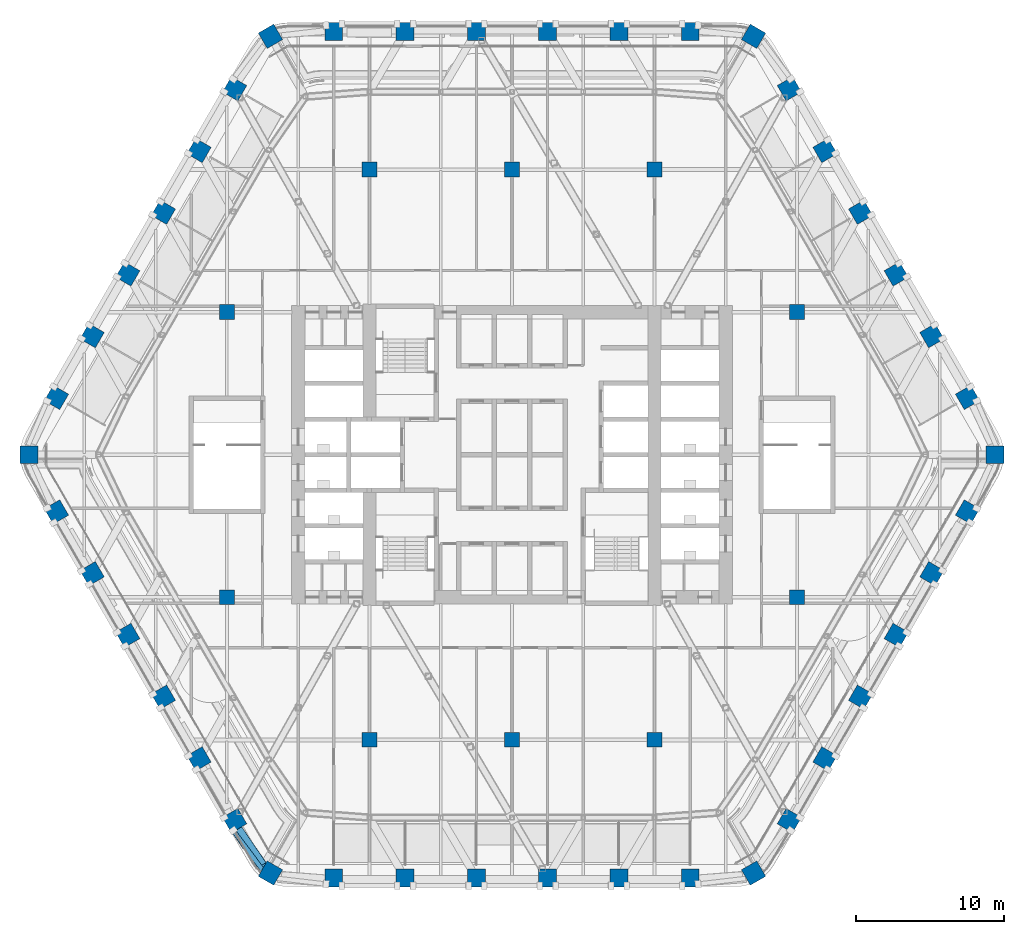
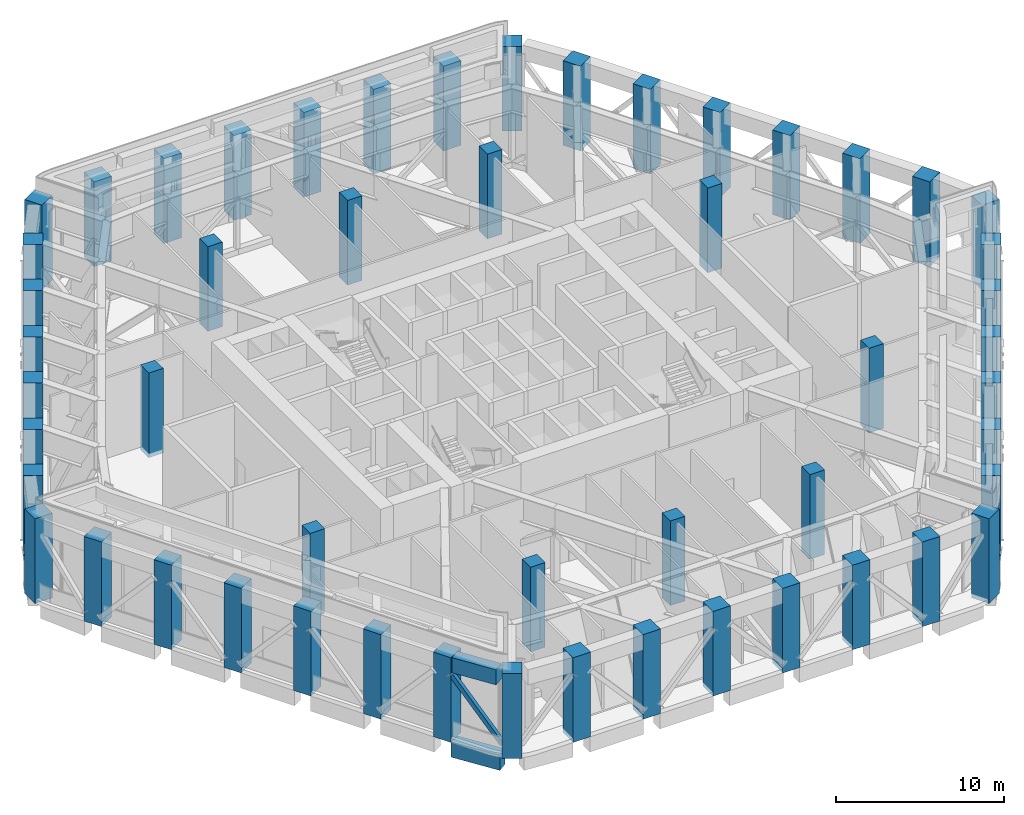
# One storey, part 1 of 27: 52 columns, 2 beams, 1 member.
"""IFC4 building model written with IfcOpenShell, lengths in metres."""

from ifc_helpers import new_model, si_unit, direction, frame, origin, origin_2d, place, context, subcontext, project, spatial, rectangle, hollow_rectangle, extrude, material, material_profile, profile_set, type_object, element, save


model = new_model("IFC4")

# Units and contexts
model_context = context("Model", 3, precision=1e-05, world=origin(), true_north=direction((0.0, 1.0)))
body_context = subcontext(model_context, "Body", "Model", "MODEL_VIEW")
ifc_project = project(units=[si_unit("LENGTHUNIT", "METRE"), si_unit("AREAUNIT", "SQUARE_METRE"), si_unit("VOLUMEUNIT", "CUBIC_METRE"), si_unit("PLANEANGLEUNIT", "RADIAN"), si_unit("MASSUNIT", "GRAM", prefix="KILO")], contexts=[model_context])

# Site, building, storey
site_placement = place(None, origin())
site = spatial("IfcSite", under=ifc_project, at=site_placement, CompositionType="ELEMENT")
building_placement = place(site_placement, origin())
building = spatial("IfcBuilding", under=site, at=building_placement, Name="Kolab Exchange Tower", CompositionType="ELEMENT")
storey_placement = place(building_placement, frame((0.0, 0.0, 127.39990234375)))
storey = spatial("IfcBuildingStorey", under=building, at=storey_placement, Name="L25", CompositionType="ELEMENT", Elevation=127.39990234375)

# Columns
ifc_material_1 = material(Name="Concrete C70/85", Category="concrete")
ifc_material_profile_1 = material_profile(ifc_material_1, rectangle(XDim=1.0, YDim=1.0, at=origin_2d()), Name="RC1000")
ifc_profile_set_1 = profile_set([ifc_material_profile_1], Name="Concrete C70/85")
column_type_1 = type_object("IfcColumnType", Name="INTERIOR COLUMN 1000 SQ C70/85", PredefinedType="COLUMN", material=ifc_profile_set_1)
for number, where, z_axis, x_axis, name in (
    (1, (-19.199951171875, -9.60009765625, -0.2998046875), (0.0, 0.0, 1.0), (1.0, 0.0, 0.0), "col/L25/I-I9"),
    (2, (-19.199951171875, 9.60009765625, -0.2998046875), (0.0, 0.0, 1.0), (1.0, 0.0, 0.0), "col/L25/I-I13"),
    (3, (-9.60009765625, -19.199951171875, -0.2998046875), (0.0, 0.0, 1.0), (1.0, 0.0, 0.0), "col/L25/I-K7"),
    (4, (-9.60009765625, 19.199951171875, -0.2998046875), (0.0, 0.0, 1.0), (1.0, 0.0, 0.0), "col/L25/I-K15"),
    (5, (0.0, -19.199951171875, -0.2998046875), (0.0, 0.0, 1.0), (1.0, 0.0, 0.0), "col/L25/I-M7"),
    (6, (0.0, 19.199951171875, -0.2998046875), (0.0, 0.0, 1.0), (1.0, 0.0, 0.0), "col/L25/I-M15"),
    (7, (9.60009765625, -19.199951171875, -0.2998046875), (0.0, 0.0, 1.0), (1.0, 0.0, 0.0), "col/L25/I-O7"),
    (8, (9.60009765625, 19.199951171875, -0.2998046875), (0.0, 0.0, 1.0), (1.0, 0.0, 0.0), "col/L25/I-O15"),
    (9, (19.199951171875, -9.60009765625, -0.2998046875), (0.0, 0.0, 1.0), (1.0, 0.0, 0.0), "col/L25/I-Q9"),
    (10, (19.199951171875, 9.60009765625, -0.2998046875), (0.0, 0.0, 1.0), (1.0, 0.0, 0.0), "col/L25/I-Q13"),
):
    element("IfcColumn", number, at=place(storey_placement, frame(where, z_axis=z_axis, x_axis=x_axis)), inside=storey, type_object=column_type_1, Name=name, PredefinedType="COLUMN", context=body_context, shape_type="SweptSolid", body=[
        extrude(rectangle(XDim=1.0, YDim=1.0, at=origin_2d()), origin(), (0.0, 0.0, 1.0), 6.14990234375),
    ])
ifc_material_profile_2 = material_profile(ifc_material_1, rectangle(XDim=1.199951171875, YDim=1.199951171875, at=origin_2d()), Name="RC1200")
ifc_profile_set_2 = profile_set([ifc_material_profile_2], Name="Concrete C70/85")
column_type_2 = type_object("IfcColumnType", Name="PERIMETER COLUMN 1200 SQ C70/85", PredefinedType="COLUMN", material=ifc_profile_set_2)
for number, where, z_axis, x_axis, name in (
    (11, (-16.26806640625, 28.177001953125, -0.2998046875), (0.0, 0.0, 1.0), (0.866025403784, 0.5, 0.0), "col/L25/F1-01"),
    (12, (-12.0, 28.49853515625, -0.2998046875), (0.0, 0.0, 1.0), (1.0, 0.0, 0.0), "col/L25/F1-02"),
    (13, (-7.199951171875, 28.49853515625, -0.2998046875), (0.0, 0.0, 1.0), (1.0, 0.0, 0.0), "col/L25/F1-03"),
    (14, (-2.39990234375, 28.49853515625, -0.2998046875), (0.0, 0.0, 1.0), (1.0, 0.0, 0.0), "col/L25/F1-04"),
    (15, (2.39990234375, 28.49853515625, -0.2998046875), (0.0, 0.0, 1.0), (1.0, 0.0, 0.0), "col/L25/F1-05"),
    (16, (7.199951171875, 28.49853515625, -0.2998046875), (0.0, 0.0, 1.0), (1.0, 0.0, 0.0), "col/L25/F1-06"),
    (17, (12.0, 28.49853515625, -0.2998046875), (0.0, 0.0, 1.0), (1.0, 0.0, 0.0), "col/L25/F1-07"),
    (18, (16.26806640625, 28.177001953125, -0.2998046875), (0.0, 0.0, 1.0), (0.5, 0.866025403784, 0.0), "col/L25/F2-01"),
    (19, (18.680419921875, 24.6416015625, -0.2998046875), (0.0, 0.0, 1.0), (0.866025403784, 0.5, 0.0), "col/L25/F2-02"),
    (20, (21.080322265625, 20.484619140625, -0.2998046875), (0.0, 0.0, 1.0), (0.866025403784, 0.5, 0.0), "col/L25/F2-03"),
    (21, (23.48046875, 16.32763671875, -0.2998046875), (0.0, 0.0, 1.0), (0.866025403784, 0.5, 0.0), "col/L25/F2-04"),
    (22, (25.88037109375, 12.170654296875, -0.2998046875), (0.0, 0.0, 1.0), (0.866025403784, 0.5, 0.0), "col/L25/F2-05"),
    (23, (28.2802734375, 8.013916015625, -0.2998046875), (0.0, 0.0, 1.0), (0.866025403784, 0.5, 0.0), "col/L25/F2-06"),
    (24, (30.680419921875, 3.85693359375, -0.2998046875), (0.0, 0.0, 1.0), (0.866025403784, 0.5, 0.0), "col/L25/F2-07"),
    (25, (32.535888671875, 0.0, -0.2998046875), (0.0, 0.0, 1.0), (1.0, 0.0, 0.0), "col/L25/F3-01"),
    (26, (30.680419921875, -3.85693359375, -0.2998046875), (0.0, 0.0, 1.0), (0.5, 0.866025403784, 0.0), "col/L25/F3-02"),
    (27, (28.2802734375, -8.013916015625, -0.2998046875), (0.0, 0.0, 1.0), (0.5, 0.866025403784, 0.0), "col/L25/F3-03"),
    (28, (25.88037109375, -12.170654296875, -0.2998046875), (0.0, 0.0, 1.0), (0.5, 0.866025403784, 0.0), "col/L25/F3-04"),
    (29, (23.48046875, -16.32763671875, -0.2998046875), (0.0, 0.0, 1.0), (0.5, 0.866025403784, 0.0), "col/L25/F3-05"),
    (30, (21.080322265625, -20.484619140625, -0.2998046875), (0.0, 0.0, 1.0), (0.5, 0.866025403784, 0.0), "col/L25/F3-06"),
    (31, (18.680419921875, -24.6416015625, -0.2998046875), (0.0, 0.0, 1.0), (0.5, 0.866025403784, 0.0), "col/L25/F3-07"),
    (32, (16.26806640625, -28.177001953125, -0.2998046875), (0.0, 0.0, 1.0), (0.866025403784, 0.5, 0.0), "col/L25/F4-01"),
    (33, (12.0, -28.49853515625, -0.2998046875), (0.0, 0.0, 1.0), (1.0, 0.0, 0.0), "col/L25/F4-02"),
    (34, (7.199951171875, -28.49853515625, -0.2998046875), (0.0, 0.0, 1.0), (1.0, 0.0, 0.0), "col/L25/F4-03"),
    (35, (2.39990234375, -28.49853515625, -0.2998046875), (0.0, 0.0, 1.0), (1.0, 0.0, 0.0), "col/L25/F4-04"),
    (36, (-2.39990234375, -28.49853515625, -0.2998046875), (0.0, 0.0, 1.0), (1.0, 0.0, 0.0), "col/L25/F4-05"),
    (37, (-7.199951171875, -28.49853515625, -0.2998046875), (0.0, 0.0, 1.0), (1.0, 0.0, 0.0), "col/L25/F4-06"),
    (38, (-12.0, -28.49853515625, -0.2998046875), (0.0, 0.0, 1.0), (1.0, 0.0, 0.0), "col/L25/F4-07"),
    (39, (-16.26806640625, -28.177001953125, -0.2998046875), (0.0, 0.0, 1.0), (0.5, 0.866025403784, 0.0), "col/L25/F5-01"),
    (40, (-18.680419921875, -24.6416015625, -0.2998046875), (0.0, 0.0, 1.0), (0.866025403784, 0.5, 0.0), "col/L25/F5-02"),
    (41, (-21.080322265625, -20.484619140625, -0.2998046875), (0.0, 0.0, 1.0), (0.866025403784, 0.5, 0.0), "col/L25/F5-03"),
    (42, (-23.48046875, -16.32763671875, -0.2998046875), (0.0, 0.0, 1.0), (0.866025403784, 0.5, 0.0), "col/L25/F5-04"),
    (43, (-25.88037109375, -12.170654296875, -0.2998046875), (0.0, 0.0, 1.0), (0.866025403784, 0.5, 0.0), "col/L25/F5-05"),
    (44, (-28.2802734375, -8.013916015625, -0.2998046875), (0.0, 0.0, 1.0), (0.866025403784, 0.5, 0.0), "col/L25/F5-06"),
    (45, (-30.680419921875, -3.85693359375, -0.2998046875), (0.0, 0.0, 1.0), (0.866025403784, 0.5, 0.0), "col/L25/F5-07"),
    (46, (-32.535888671875, 0.0, -0.2998046875), (0.0, 0.0, 1.0), (1.0, 0.0, 0.0), "col/L25/F6-01"),
    (47, (-30.680419921875, 3.85693359375, -0.2998046875), (0.0, 0.0, 1.0), (0.5, 0.866025403784, 0.0), "col/L25/F6-02"),
    (48, (-28.2802734375, 8.013916015625, -0.2998046875), (0.0, 0.0, 1.0), (0.5, 0.866025403784, 0.0), "col/L25/F6-03"),
    (49, (-25.88037109375, 12.170654296875, -0.2998046875), (0.0, 0.0, 1.0), (0.5, 0.866025403784, 0.0), "col/L25/F6-04"),
    (50, (-23.48046875, 16.32763671875, -0.2998046875), (0.0, 0.0, 1.0), (0.5, 0.866025403784, 0.0), "col/L25/F6-05"),
    (51, (-21.080322265625, 20.484619140625, -0.2998046875), (0.0, 0.0, 1.0), (0.5, 0.866025403784, 0.0), "col/L25/F6-06"),
    (52, (-18.680419921875, 24.6416015625, -0.2998046875), (0.0, 0.0, 1.0), (0.5, 0.866025403784, 0.0), "col/L25/F6-07"),
):
    element("IfcColumn", number, at=place(storey_placement, frame(where, z_axis=z_axis, x_axis=x_axis)), inside=storey, type_object=column_type_2, Name=name, PredefinedType="COLUMN", context=body_context, shape_type="SweptSolid", body=[
        extrude(rectangle(XDim=1.199951171875, YDim=1.199951171875, at=origin_2d()), origin(), (0.0, 0.0, 1.0), 6.14990234375),
    ])

# Member
ifc_material_2 = material(Name="Steel S355", Category="steel")
ifc_material_profile_3 = material_profile(ifc_material_2, hollow_rectangle(XDim=0.300048828125, YDim=0.300048828125, WallThickness=0.01611328125, at=origin_2d()), Name="HSS300X300X16")
ifc_profile_set_3 = profile_set([ifc_material_profile_3], Name="Steel S355")
member_type = type_object("IfcMemberType", Name="BELT TRUSS BRACE HSS300X300X16", PredefinedType="BRACE", material=ifc_profile_set_3)
member_placement = place(storey_placement, frame((-16.77978515625, -27.992431640625, 0.400146484375), z_axis=(-0.371973431828, 0.498922162691, 0.782759504311), x_axis=(-0.801707642151, -0.597716367951, 0.0)))
element("IfcMember", 53, at=member_placement, inside=storey, type_object=member_type, Name="mem/L25/fb/F5-01", PredefinedType="BRACE", context=body_context, shape_type="SweptSolid", body=[
    extrude(hollow_rectangle(XDim=0.300048828125, YDim=0.300048828125, WallThickness=0.01611328125, at=origin_2d()), origin(), (0.0, 0.0, 1.0), 5.365478515625),
])

# Beams
ifc_material_profile_4 = material_profile(ifc_material_1, rectangle(XDim=0.75, YDim=1.10009765625, at=origin_2d()), Name="RC750X1100")
ifc_profile_set_4 = profile_set([ifc_material_profile_4], Name="Concrete C70/85")
beam_type = type_object("IfcBeamType", Name="SPANDREL BEAM 750X1100 C70/85", PredefinedType="BEAM", material=ifc_profile_set_4)
beam_1_placement = place(storey_placement, frame((-16.73486328125, -27.85791015625, -0.849853515625), z_axis=(-0.567661826262, 0.823261836237, 0.0), x_axis=(-0.823261836237, -0.567661826262, 0.0)))
element("IfcBeam", 54, at=beam_1_placement, inside=storey, type_object=beam_type, Name="beam/L25/sp/F5-01", PredefinedType="BEAM", context=body_context, shape_type="SweptSolid", body=[
    extrude(rectangle(XDim=0.75, YDim=1.10009765625, at=origin_2d()), origin(), (0.0, 0.0, 1.0), 3.20849609375),
])
beam_2_placement = place(storey_placement, frame((-16.882568359375, -27.67529296875, 5.300048828125), z_axis=(-0.563671935422, 0.825998758606, 0.0), x_axis=(-0.825998758606, -0.563671935422, 0.0)))
element("IfcBeam", 55, at=beam_2_placement, inside=storey, type_object=beam_type, Name="beam/L25/cp/F5-01", PredefinedType="BEAM", context=body_context, shape_type="SweptSolid", body=[
    extrude(rectangle(XDim=0.75, YDim=1.10009765625, at=origin_2d()), origin(), (0.0, 0.0, 1.0), 2.915771484375),
])

save(model, "model.ifc")
